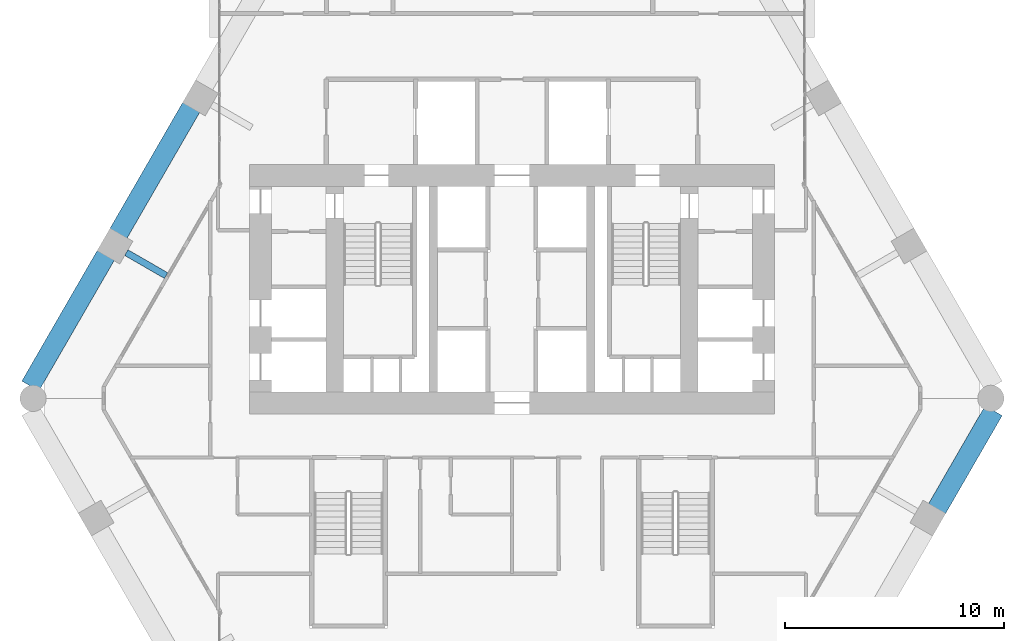
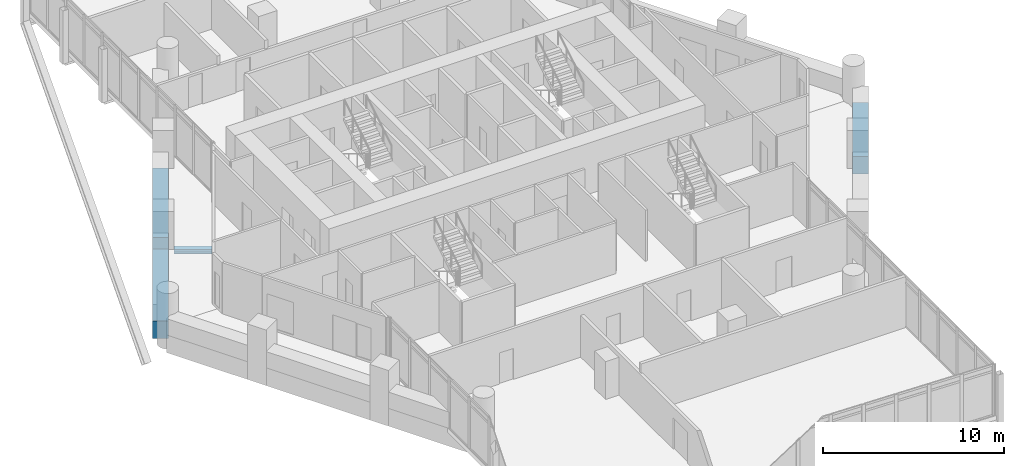
# One storey, part 15 of 37: 4 beams.
"""IFC4 building model written with IfcOpenShell, lengths in metres."""

from ifc_helpers import new_model, si_unit, direction, frame, origin, origin_2d, place, context, subcontext, project, spatial, rectangle, i_section, extrude, material, material_profile, profile_set, type_object, element, save


model = new_model("IFC4")

# Units and contexts
model_context = context("Model", 3, precision=1e-05, world=origin(), true_north=direction((0.0, 1.0)))
body_context = subcontext(model_context, "Body", "Model", "MODEL_VIEW")
ifc_project = project(units=[si_unit("LENGTHUNIT", "METRE"), si_unit("AREAUNIT", "SQUARE_METRE"), si_unit("VOLUMEUNIT", "CUBIC_METRE"), si_unit("PLANEANGLEUNIT", "RADIAN"), si_unit("MASSUNIT", "GRAM", prefix="KILO")], contexts=[model_context])

# Site, building, storey
site_placement = place(None, origin())
site = spatial("IfcSite", under=ifc_project, at=site_placement, CompositionType="ELEMENT")
building_placement = place(site_placement, origin())
building = spatial("IfcBuilding", under=site, at=building_placement, Name="Ostrander Bayou Hotel Tower", CompositionType="ELEMENT")
storey_placement = place(building_placement, frame((0.0, 0.0, 131.0)))
storey = spatial("IfcBuildingStorey", under=building, at=storey_placement, Name="L32", CompositionType="ELEMENT", Elevation=131.0)

# Beams
ifc_material_1 = material(Name="Steel ASTM A992", Category="steel")
ifc_material_profile_1 = material_profile(ifc_material_1, i_section(OverallWidth=0.3046875, OverallDepth=0.307861328125, WebThickness=0.010009765625, FlangeThickness=0.015380859375, at=origin_2d()))
ifc_profile_set_1 = profile_set([ifc_material_profile_1], Name="Steel ASTM A992")
beam_type_1 = type_object("IfcBeamType", Name="LB1 loggia bracket W12x65", PredefinedType="BEAM", material=ifc_profile_set_1)
beam_1_placement = place(storey_placement, frame((-17.634765625, 5.67041015625, -0.453857421875), z_axis=(0.866038466041, -0.499977374825, 0.0), x_axis=(0.499977374825, 0.866038466041, 0.0)))
element("IfcBeam", 1, at=beam_1_placement, inside=storey, type_object=beam_type_1, Name="LB1 L32 NW2", PredefinedType="BEAM", context=body_context, shape_type="SweptSolid", body=[
    extrude(i_section(OverallWidth=0.3046875, OverallDepth=0.307861328125, WebThickness=0.010009765625, FlangeThickness=0.015380859375, at=origin_2d()), origin(), (0.0, 0.0, 1.0), 2.10009765625),
])
ifc_material_2 = material(Name="Concrete f'c 70 MPa", Category="concrete")
ifc_material_profile_2 = material_profile(ifc_material_2, rectangle(XDim=0.89990234375, YDim=1.199951171875, at=origin_2d()))
ifc_profile_set_2 = profile_set([ifc_material_profile_2], Name="Concrete f'c 70 MPa")
beam_type_2 = type_object("IfcBeamType", Name="SP2 spandrel beam 900 x 1200 mm f'c 70 MPa", PredefinedType="SPANDREL", material=ifc_profile_set_2)
beam_2_placement = place(storey_placement, frame((-14.662353515625, 12.318359375, -0.60009765625), z_axis=(-0.50001062018, -0.866019272134, 0.0), x_axis=(0.866019272134, -0.50001062018, 0.0)))
element("IfcBeam", 2, at=beam_2_placement, inside=storey, type_object=beam_type_2, Name="SP2 L32 NW-2", PredefinedType="SPANDREL", context=body_context, shape_type="SweptSolid", body=[
    extrude(rectangle(XDim=0.89990234375, YDim=1.199951171875, at=origin_2d()), origin(), (0.0, 0.0, 1.0), 6.673583984375),
])
beam_3_placement = place(storey_placement, frame((-18.569091796875, 5.551513671875, -0.60009765625), z_axis=(-0.500017246033, -0.866015446554, 0.0), x_axis=(0.866015446554, -0.500017246033, 0.0)))
element("IfcBeam", 3, at=beam_3_placement, inside=storey, type_object=beam_type_2, Name="SP2 L32 NW-3", PredefinedType="SPANDREL", context=body_context, shape_type="SweptSolid", body=[
    extrude(rectangle(XDim=0.89990234375, YDim=1.199951171875, at=origin_2d()), origin(), (0.0, 0.0, 1.0), 6.906005859375),
])
beam_4_placement = place(storey_placement, frame((19.428955078125, -6.048095703125, -0.60009765625), z_axis=(0.499996813733, 0.866027243369, 0.0), x_axis=(-0.866027243369, 0.499996813733, 0.0)))
element("IfcBeam", 4, at=beam_4_placement, inside=storey, type_object=beam_type_2, Name="SP2 L32 SE-3", PredefinedType="SPANDREL", context=body_context, shape_type="SweptSolid", body=[
    extrude(rectangle(XDim=0.89990234375, YDim=1.199951171875, at=origin_2d()), origin(), (0.0, 0.0, 1.0), 5.1865234375),
])

save(model, "model.ifc")
